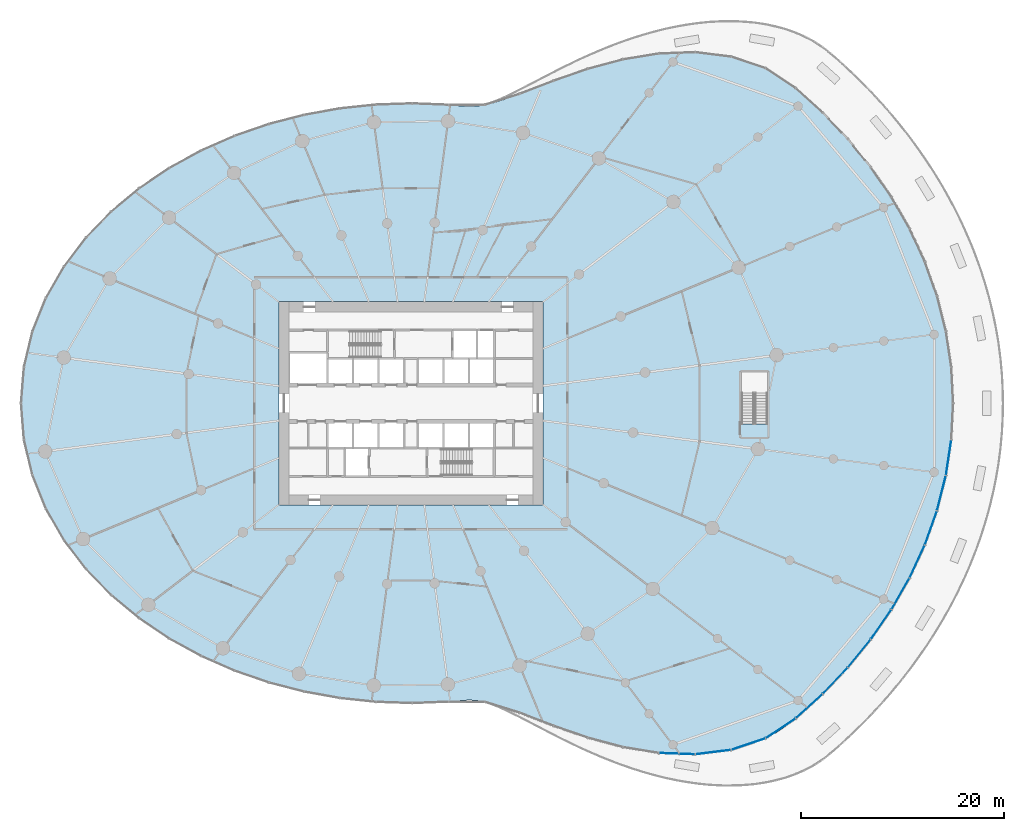
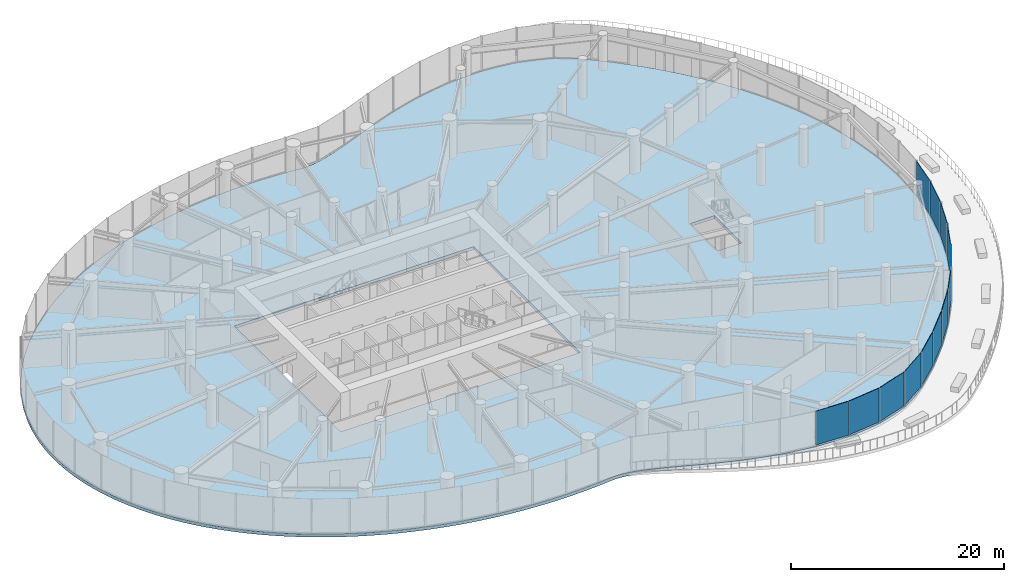
# One storey, part 12 of 24: 13 plates, 1 slab, 3 elements without a shape of their own.
"""IFC4 building model written with IfcOpenShell, lengths in metres."""

from ifc_helpers import new_model, si_unit, direction, frame, origin, origin_2d, place, context, subcontext, project, spatial, line, indexed_curve, rectangle, outline, extrude, source, transform, mapped, material, layer, layer_set, type_object, element, aggregate, save


model = new_model("IFC4")

# Units and contexts
model_context = context("Model", 3, precision=1e-05, world=origin(), true_north=direction((0.0, 1.0)))
body_context = subcontext(model_context, "Body", "Model", "MODEL_VIEW")
ifc_project = project(units=[si_unit("LENGTHUNIT", "METRE"), si_unit("AREAUNIT", "SQUARE_METRE"), si_unit("VOLUMEUNIT", "CUBIC_METRE"), si_unit("PLANEANGLEUNIT", "RADIAN"), si_unit("MASSUNIT", "GRAM", prefix="KILO")], contexts=[model_context])

# Site, building, storey
site_placement = place(None, origin())
site = spatial("IfcSite", under=ifc_project, at=site_placement, CompositionType="ELEMENT")
building_placement = place(site_placement, origin())
building = spatial("IfcBuilding", under=site, at=building_placement, Name="Spindrift Exchange Tower", CompositionType="ELEMENT")
storey_placement = place(building_placement, frame((0.0, 0.0, 5.0)))
storey = spatial("IfcBuildingStorey", under=building, at=storey_placement, Name="L01", CompositionType="ELEMENT", Elevation=5.0)

# Slab
ifc_material_1 = material(Name="Concrete 50 MPa", Category="concrete")
ifc_layer_1 = layer(ifc_material_1, 0.35009765625)
ifc_layer_set_1 = layer_set([ifc_layer_1], Name="RC Floor Slab 350 Concrete 50 MPa")
slab_type = type_object("IfcSlabType", Name="RC Floor Slab 350 Concrete 50 MPa", PredefinedType="FLOOR", material=ifc_layer_set_1)
slab_placement = place(storey_placement, frame((0.0, 0.0, -0.35009765625)))
element("IfcSlab", 1, at=slab_placement, inside=storey, type_object=slab_type, Name="Floor slab L01", PredefinedType="FLOOR", context=body_context, shape_type="SweptSolid", body=[
    extrude(outline(indexed_curve([(105.35009765625, 48.0), (105.337890625, 48.930908203125), (105.301513671875, 49.861328125), (105.24072265625, 50.790283203125), (105.156005859375, 51.717041015625), (105.04736328125, 52.64111328125), (104.914794921875, 53.5615234375), (104.7587890625, 54.47802734375), (104.57958984375, 55.3896484375), (104.37744140625, 56.2958984375), (104.152587890625, 57.19580078125), (103.90576171875, 58.08935546875), (103.636962890625, 58.975830078125), (103.346923828125, 59.8544921875), (103.035888671875, 60.724609375), (102.70458984375, 61.586181640625), (102.353515625, 62.438720703125), (101.98291015625, 63.28125), (101.593505859375, 64.114013671875), (101.18603515625, 64.93603515625), (100.7607421875, 65.74755859375), (100.318359375, 66.547607421875), (99.859619140625, 67.33642578125), (99.384765625, 68.113525390625), (98.894287109375, 68.878662109375), (98.389404296875, 69.631591796875), (97.8701171875, 70.372314453125), (97.33740234375, 71.1005859375), (96.791259765625, 71.81591796875), (96.23291015625, 72.5185546875), (95.662109375, 73.20849609375), (95.080078125, 73.88525390625), (94.4873046875, 74.548828125), (93.8837890625, 75.19970703125), (93.270263671875, 75.837158203125), (92.647216796875, 76.461669921875), (92.015380859375, 77.072998046875), (91.374755859375, 77.6708984375), (90.72607421875, 78.256103515625), (90.069580078125, 78.828125), (89.40576171875, 79.38720703125), (88.714111328125, 79.9150390625), (87.976806640625, 80.3935546875), (87.197998046875, 80.822509765625), (86.382080078125, 81.202392578125), (85.533203125, 81.533203125), (84.655517578125, 81.81591796875), (83.752685546875, 82.05078125), (82.828857421875, 82.239013671875), (81.8876953125, 82.3818359375), (80.9326171875, 82.480712890625), (79.96728515625, 82.536865234375), (78.9951171875, 82.552001953125), (78.018798828125, 82.5283203125), (77.0419921875, 82.46728515625), (76.0673828125, 82.37158203125), (75.097412109375, 82.243408203125), (74.135009765625, 82.085205078125), (73.1826171875, 81.899169921875), (72.2421875, 81.688720703125), (71.31591796875, 81.455810546875), (70.405517578125, 81.2041015625), (69.5126953125, 80.9365234375), (68.638916015625, 80.656005859375), (67.785888671875, 80.36572265625), (66.9541015625, 80.069091796875), (66.144775390625, 79.76953125), (62.449462890625, 78.34765625), (61.781005859375, 78.103271484375), (61.135498046875, 77.880615234375), (60.51171875, 77.68359375), (59.90869140625, 77.51513671875), (59.3251953125, 77.37939453125), (58.759765625, 77.27978515625), (58.2109375, 77.2197265625), (57.676513671875, 77.202880859375), (57.154296875, 77.232421875), (56.121826171875, 77.3291015625), (55.090576171875, 77.404052734375), (54.059814453125, 77.45751953125), (53.02978515625, 77.489501953125), (52.0, 77.5), (50.97021484375, 77.489501953125), (50.455078125, 77.47607421875), (49.4248046875, 77.433349609375), (48.393798828125, 77.369384765625), (47.362060546875, 77.283447265625), (46.328857421875, 77.17578125), (45.294189453125, 77.04541015625), (44.25830078125, 76.892578125), (43.220458984375, 76.716552734375), (42.180908203125, 76.5166015625), (41.660400390625, 76.40771484375), (41.1396484375, 76.29248046875), (40.096435546875, 76.04296875), (39.0517578125, 75.767578125), (38.52880859375, 75.6201171875), (37.48193359375, 75.304443359375), (36.958251953125, 75.135986328125), (35.91015625, 74.778076171875), (34.86181640625, 74.390380859375), (34.337890625, 74.185302734375), (33.29052734375, 73.751220703125), (32.767578125, 73.522216796875), (31.723388671875, 73.039306640625), (31.20263671875, 72.785400390625), (30.164306640625, 72.251220703125), (29.13134765625, 71.68115234375), (28.10595703125, 71.07421875), (27.089599609375, 70.429443359375), (26.585693359375, 70.09228515625), (26.0849609375, 69.745361328125), (25.587646484375, 69.38818359375), (25.093994140625, 69.021240234375), (24.604736328125, 68.643798828125), (24.119873046875, 68.256103515625), (23.639892578125, 67.85791015625), (23.165283203125, 67.44921875), (22.6962890625, 67.030029296875), (22.233642578125, 66.60009765625), (21.77734375, 66.15966796875), (21.328125, 65.70849609375), (20.886474609375, 65.24658203125), (20.452880859375, 64.77392578125), (20.02783203125, 64.29052734375), (19.61181640625, 63.796875), (19.205078125, 63.29248046875), (18.80859375, 62.777587890625), (18.4228515625, 62.252685546875), (18.04833984375, 61.71728515625), (17.685302734375, 61.172119140625), (17.334716796875, 60.6171875), (16.996826171875, 60.052490234375), (16.67236328125, 59.478759765625), (16.36181640625, 58.895751953125), (16.0654296875, 58.30419921875), (15.7841796875, 57.7041015625), (15.5185546875, 57.095947265625), (15.268798828125, 56.47998046875), (15.035400390625, 55.857177734375), (14.818603515625, 55.227294921875), (14.619384765625, 54.59130859375), (14.43798828125, 53.94921875), (14.2744140625, 53.302001953125), (14.12939453125, 52.64990234375), (14.0029296875, 51.99365234375), (13.895751953125, 51.333740234375), (13.8076171875, 50.670654296875), (13.73876953125, 50.005126953125), (13.689453125, 49.337890625), (13.659912109375, 48.669189453125), (13.64990234375, 48.0), (13.659912109375, 47.330810546875), (13.689453125, 46.662109375), (13.73876953125, 45.994873046875), (13.8076171875, 45.329345703125), (13.895751953125, 44.666259765625), (14.0029296875, 44.00634765625), (14.12939453125, 43.35009765625), (14.2744140625, 42.697998046875), (14.43798828125, 42.05078125), (14.619384765625, 41.40869140625), (14.818603515625, 40.772705078125), (15.035400390625, 40.142822265625), (15.268798828125, 39.52001953125), (15.5185546875, 38.904052734375), (15.7841796875, 38.2958984375), (16.0654296875, 37.69580078125), (16.36181640625, 37.104248046875), (16.67236328125, 36.521240234375), (16.996826171875, 35.947509765625), (17.334716796875, 35.3828125), (17.685302734375, 34.827880859375), (18.04833984375, 34.28271484375), (18.4228515625, 33.747314453125), (18.80859375, 33.222412109375), (19.205078125, 32.70751953125), (19.61181640625, 32.203125), (20.02783203125, 31.70947265625), (20.452880859375, 31.22607421875), (20.886474609375, 30.75341796875), (21.328125, 30.29150390625), (21.77734375, 29.84033203125), (22.233642578125, 29.39990234375), (22.6962890625, 28.969970703125), (23.165283203125, 28.55078125), (23.639892578125, 28.14208984375), (24.119873046875, 27.743896484375), (24.604736328125, 27.356201171875), (25.093994140625, 26.978759765625), (25.587646484375, 26.61181640625), (26.0849609375, 26.254638671875), (26.585693359375, 25.90771484375), (27.089599609375, 25.570556640625), (28.10595703125, 24.92578125), (29.13134765625, 24.31884765625), (30.164306640625, 23.748779296875), (31.20263671875, 23.214599609375), (31.723388671875, 22.960693359375), (32.767578125, 22.477783203125), (33.29052734375, 22.248779296875), (34.337890625, 21.814697265625), (34.86181640625, 21.609619140625), (35.91015625, 21.221923828125), (36.958251953125, 20.864013671875), (37.48193359375, 20.695556640625), (38.52880859375, 20.3798828125), (39.0517578125, 20.232421875), (40.096435546875, 19.95703125), (41.1396484375, 19.70751953125), (41.660400390625, 19.59228515625), (42.180908203125, 19.4833984375), (43.220458984375, 19.283447265625), (44.25830078125, 19.107421875), (45.294189453125, 18.95458984375), (46.328857421875, 18.82421875), (47.362060546875, 18.716552734375), (48.393798828125, 18.630615234375), (49.4248046875, 18.566650390625), (50.455078125, 18.52392578125), (50.97021484375, 18.510498046875), (52.0, 18.5), (53.02978515625, 18.510498046875), (54.059814453125, 18.54248046875), (55.090576171875, 18.595947265625), (56.121826171875, 18.6708984375), (57.154296875, 18.767578125), (57.676513671875, 18.797119140625), (58.2109375, 18.7802734375), (58.759765625, 18.72021484375), (59.3251953125, 18.62060546875), (59.90869140625, 18.48486328125), (60.51171875, 18.31640625), (61.135498046875, 18.119384765625), (61.781005859375, 17.896728515625), (62.449462890625, 17.65234375), (66.144775390625, 16.23046875), (66.9541015625, 15.930908203125), (67.785888671875, 15.63427734375), (68.638916015625, 15.343994140625), (69.5126953125, 15.0634765625), (70.405517578125, 14.7958984375), (71.31591796875, 14.544189453125), (72.2421875, 14.311279296875), (73.1826171875, 14.100830078125), (74.135009765625, 13.914794921875), (75.097412109375, 13.756591796875), (76.0673828125, 13.62841796875), (77.0419921875, 13.53271484375), (78.018798828125, 13.4716796875), (78.9951171875, 13.447998046875), (79.96728515625, 13.463134765625), (80.9326171875, 13.519287109375), (81.8876953125, 13.6181640625), (82.828857421875, 13.760986328125), (83.752685546875, 13.94921875), (84.655517578125, 14.18408203125), (85.533203125, 14.466796875), (86.382080078125, 14.797607421875), (87.197998046875, 15.177490234375), (87.976806640625, 15.6064453125), (88.714111328125, 16.0849609375), (89.40576171875, 16.61279296875), (90.069580078125, 17.171875), (90.72607421875, 17.743896484375), (91.374755859375, 18.3291015625), (92.015380859375, 18.927001953125), (92.647216796875, 19.538330078125), (93.270263671875, 20.162841796875), (93.8837890625, 20.80029296875), (94.4873046875, 21.451171875), (95.080078125, 22.11474609375), (95.662109375, 22.79150390625), (96.23291015625, 23.4814453125), (96.791259765625, 24.18408203125), (97.33740234375, 24.8994140625), (97.8701171875, 25.627685546875), (98.389404296875, 26.368408203125), (98.894287109375, 27.121337890625), (99.384765625, 27.886474609375), (99.859619140625, 28.66357421875), (100.318359375, 29.452392578125), (100.7607421875, 30.25244140625), (101.18603515625, 31.06396484375), (101.593505859375, 31.885986328125), (101.98291015625, 32.71875), (102.353515625, 33.561279296875), (102.70458984375, 34.413818359375), (103.035888671875, 35.275390625), (103.346923828125, 36.1455078125), (103.636962890625, 37.024169921875), (103.90576171875, 37.91064453125), (104.152587890625, 38.80419921875), (104.37744140625, 39.7041015625), (104.57958984375, 40.6103515625), (104.7587890625, 41.52197265625), (104.914794921875, 42.4384765625), (105.04736328125, 43.35888671875), (105.156005859375, 44.282958984375), (105.24072265625, 45.209716796875), (105.301513671875, 46.138671875), (105.337890625, 47.069091796875)], segments=[line(1, 2, 3, 4, 5, 6, 7, 8, 9, 10, 11, 12, 13, 14, 15, 16, 17, 18, 19, 20, 21, 22, 23, 24, 25, 26, 27, 28, 29, 30, 31, 32, 33, 34, 35, 36, 37, 38, 39, 40, 41, 42, 43, 44, 45, 46, 47, 48, 49, 50, 51, 52, 53, 54, 55, 56, 57, 58, 59, 60, 61, 62, 63, 64, 65, 66, 67, 68, 69, 70, 71, 72, 73, 74, 75, 76, 77, 78, 79, 80, 81, 82, 83, 84, 85, 86, 87, 88, 89, 90, 91, 92, 93, 94, 95, 96, 97, 98, 99, 100, 101, 102, 103, 104, 105, 106, 107, 108, 109, 110, 111, 112, 113, 114, 115, 116, 117, 118, 119, 120, 121, 122, 123, 124, 125, 126, 127, 128, 129, 130, 131, 132, 133, 134, 135, 136, 137, 138, 139, 140, 141, 142, 143, 144, 145, 146, 147, 148, 149, 150, 151, 152, 153, 154, 155, 156, 157, 158, 159, 160, 161, 162, 163, 164, 165, 166, 167, 168, 169, 170, 171, 172, 173, 174, 175, 176, 177, 178, 179, 180, 181, 182, 183, 184, 185, 186, 187, 188, 189, 190, 191, 192, 193, 194, 195, 196, 197, 198, 199, 200, 201, 202, 203, 204, 205, 206, 207, 208, 209, 210, 211, 212, 213, 214, 215, 216, 217, 218, 219, 220, 221, 222, 223, 224, 225, 226, 227, 228, 229, 230, 231, 232, 233, 234, 235, 236, 237, 238, 239, 240, 241, 242, 243, 244, 245, 246, 247, 248, 249, 250, 251, 252, 253, 254, 255, 256, 257, 258, 259, 260, 261, 262, 263, 264, 265, 266, 267, 268, 269, 270, 271, 272, 273, 274, 275, 276, 277, 278, 279, 280, 281, 282, 283, 284, 285, 286, 287, 288, 289, 290, 291, 292, 293, 294, 295, 296, 297, 298, 299, 300, 301, 302, 1)], self_intersect=False), holes=[indexed_curve([(39.0, 38.0), (65.0, 38.0), (65.0, 58.0), (39.0, 58.0)], segments=[line(1, 2, 3, 4, 1)], self_intersect=False), indexed_curve([(87.093994140625, 45.9560546875), (84.506103515625, 45.9560546875), (84.506103515625, 51.093994140625), (87.093994140625, 51.093994140625)], segments=[line(1, 2, 3, 4, 1)], self_intersect=False)]), origin(), (0.0, 0.0, 1.0), 0.35009765625),
])

# Curtain wall, plates
ifc_material_2 = material(Name="Fritted laminated glass with bronze frame", Category="glass")
ifc_layer_2 = layer(ifc_material_2, 0.219970703125)
ifc_layer_set_2 = layer_set([ifc_layer_2], Name="PODIUM BRONZE GLAZED WALL")
curtain_wall_type = type_object("IfcCurtainWallType", Name="PODIUM BRONZE GLAZED WALL", PredefinedType="NOTDEFINED", material=ifc_layer_set_2)
curtain_wall_1_placement = place(storey_placement, origin())
curtain_wall_1 = element("IfcCurtainWall", 2, at=curtain_wall_1_placement, inside=storey, type_object=curtain_wall_type, Name="L01 Podium Bronze Glazed Wall run 12", PredefinedType="NOTDEFINED")
ifc_material_3 = material(Name="Bronze fritted laminated glass, close frit", Category="glass")
ifc_layer_3 = layer(ifc_material_3, 0.0400390625)
ifc_layer_set_3 = layer_set([ifc_layer_3], Name="PODIUM BRONZE GLAZED WALL PANEL CLOSE FRIT 420")
plate_type_1 = type_object("IfcPlateType", Name="PODIUM BRONZE GLAZED WALL PANEL CLOSE FRIT 420", PredefinedType="CURTAIN_PANEL", material=ifc_layer_set_3)
shared_shape_1 = source(origin(), body_context, "Body", "SweptSolid", [
    extrude(rectangle(XDim=3.486083984375, YDim=0.0400390625, at=origin_2d()), origin(), (0.0, 0.0, 1.0), 3.889892578125),
])
plate_1_placement = place(storey_placement, frame((103.158203125, 35.74169921875, 0.16015625), z_axis=(0.0, 0.0, 1.0), x_axis=(0.335814913082, 0.941927993082, 0.0)))
plate_1 = element("IfcPlate", 3, at=plate_1_placement, type_object=plate_type_1, Name="L01 panel CW-P.69", PredefinedType="CURTAIN_PANEL", context=body_context, shape_type="MappedRepresentation", body=[
    mapped(shared_shape_1, transform((0.0, 0.0, 0.0), scale=1.0)),
])
ifc_layer_4 = layer(ifc_material_3, 0.0400390625)
ifc_layer_set_4 = layer_set([ifc_layer_4], Name="PODIUM BRONZE GLAZED WALL PANEL CLOSE FRIT 540")
plate_type_2 = type_object("IfcPlateType", Name="PODIUM BRONZE GLAZED WALL PANEL CLOSE FRIT 540", PredefinedType="CURTAIN_PANEL", material=ifc_layer_set_4)
shared_shape_2 = source(origin(), body_context, "Body", "SweptSolid", [
    extrude(rectangle(XDim=3.48583984375, YDim=0.0400390625, at=origin_2d()), origin(), (0.0, 0.0, 1.0), 3.889892578125),
])
plate_2_placement = place(storey_placement, frame((104.197021484375, 39.1591796875, 0.16015625), z_axis=(0.0, 0.0, 1.0), x_axis=(0.245055269389, 0.969509110295, 0.0)))
plate_2 = element("IfcPlate", 4, at=plate_2_placement, type_object=plate_type_2, Name="L01 panel CW-P.70", PredefinedType="CURTAIN_PANEL", context=body_context, shape_type="MappedRepresentation", body=[
    mapped(shared_shape_2, transform((0.0, 0.0, 0.0), scale=1.0)),
])
ifc_layer_5 = layer(ifc_material_3, 0.0400390625)
ifc_layer_set_5 = layer_set([ifc_layer_5], Name="PODIUM BRONZE GLAZED WALL PANEL CLOSE FRIT 300")
plate_type_3 = type_object("IfcPlateType", Name="PODIUM BRONZE GLAZED WALL PANEL CLOSE FRIT 300", PredefinedType="CURTAIN_PANEL", material=ifc_layer_set_5)
shared_shape_3 = source(origin(), body_context, "Body", "SweptSolid", [
    extrude(rectangle(XDim=3.486083984375, YDim=0.0400390625, at=origin_2d()), origin(), (0.0, 0.0, 1.0), 3.889892578125),
])
plate_3_placement = place(storey_placement, frame((101.805908203125, 32.43505859375, 0.16015625), z_axis=(0.0, 0.0, 1.0), x_axis=(0.420418310601, 0.907330394129, 0.0)))
plate_3 = element("IfcPlate", 5, at=plate_3_placement, type_object=plate_type_3, Name="L01 panel CW-P.68", PredefinedType="CURTAIN_PANEL", context=body_context, shape_type="MappedRepresentation", body=[
    mapped(shared_shape_3, transform((0.0, 0.0, 0.0), scale=1.0)),
])

curtain_wall_2_placement = place(storey_placement, origin())
curtain_wall_2 = element("IfcCurtainWall", 6, at=curtain_wall_2_placement, inside=storey, type_object=curtain_wall_type, Name="L01 Podium Bronze Glazed Wall run 11", PredefinedType="NOTDEFINED")
shared_shape_4 = source(origin(), body_context, "Body", "SweptSolid", [
    extrude(rectangle(XDim=3.486328125, YDim=0.0400390625, at=origin_2d()), origin(), (0.0, 0.0, 1.0), 3.889892578125),
])
plate_4_placement = place(storey_placement, frame((98.255615234375, 26.24072265625, 0.16015625), z_axis=(0.0, 0.0, 1.0), x_axis=(0.568777198031, 0.822491640687, 0.0)))
plate_4 = element("IfcPlate", 7, at=plate_4_placement, type_object=plate_type_3, Name="L01 panel CW-P.66", PredefinedType="CURTAIN_PANEL", context=body_context, shape_type="MappedRepresentation", body=[
    mapped(shared_shape_4, transform((0.0, 0.0, 0.0), scale=1.0)),
])
shared_shape_5 = source(origin(), body_context, "Body", "SweptSolid", [
    extrude(rectangle(XDim=3.474853515625, YDim=0.0400390625, at=origin_2d()), origin(), (0.0, 0.0, 1.0), 3.889892578125),
])
plate_5_placement = place(storey_placement, frame((88.379150390625, 16.017822265625, 0.16015625), z_axis=(0.0, 0.0, 1.0), x_axis=(0.834253621799, 0.551380897851, 0.0)))
plate_5 = element("IfcPlate", 8, at=plate_5_placement, type_object=plate_type_1, Name="L01 panel CW-P.62", PredefinedType="CURTAIN_PANEL", context=body_context, shape_type="MappedRepresentation", body=[
    mapped(shared_shape_5, transform((0.0, 0.0, 0.0), scale=1.0)),
])
shared_shape_6 = source(origin(), body_context, "Body", "SweptSolid", [
    extrude(rectangle(XDim=3.48681640625, YDim=0.0400390625, at=origin_2d()), origin(), (0.0, 0.0, 1.0), 3.889892578125),
])
plate_6_placement = place(storey_placement, frame((91.189208984375, 18.2041015625, 0.16015625), z_axis=(0.0, 0.0, 1.0), x_axis=(0.739727406935, 0.672906652835, 0.0)))
plate_6 = element("IfcPlate", 9, at=plate_6_placement, type_object=plate_type_3, Name="L01 panel CW-P.63", PredefinedType="CURTAIN_PANEL", context=body_context, shape_type="MappedRepresentation", body=[
    mapped(shared_shape_6, transform((0.0, 0.0, 0.0), scale=1.0)),
])
plate_7_placement = place(storey_placement, frame((93.744384765625, 20.703369140625, 0.16015625), z_axis=(0.0, 0.0, 1.0), x_axis=(0.689158073642, 0.724611033268, 0.0)))
plate_7 = element("IfcPlate", 10, at=plate_7_placement, type_object=plate_type_3, Name="L01 panel CW-P.64", PredefinedType="CURTAIN_PANEL", context=body_context, shape_type="MappedRepresentation", body=[
    mapped(shared_shape_6, transform((0.0, 0.0, 0.0), scale=1.0)),
])

# Plate
shared_shape_7 = source(origin(), body_context, "Body", "SweptSolid", [
    extrude(rectangle(XDim=3.486328125, YDim=0.0400390625, at=origin_2d()), origin(), (0.0, 0.0, 1.0), 3.889892578125),
])
plate_8_placement = place(storey_placement, frame((100.16357421875, 29.26220703125, 0.16015625), z_axis=(0.0, 0.0, 1.0), x_axis=(0.498160891964, 0.867084612779, 0.0)))
plate_8 = element("IfcPlate", 11, at=plate_8_placement, type_object=plate_type_2, Name="L01 panel CW-P.67", PredefinedType="CURTAIN_PANEL", context=body_context, shape_type="MappedRepresentation", body=[
    mapped(shared_shape_7, transform((0.0, 0.0, 0.0), scale=1.0)),
])

# Curtain wall, plates
curtain_wall_3_placement = place(storey_placement, origin())
curtain_wall_3 = element("IfcCurtainWall", 12, at=curtain_wall_3_placement, inside=storey, type_object=curtain_wall_type, Name="L01 Podium Bronze Glazed Wall run 10", PredefinedType="NOTDEFINED")
shared_shape_8 = source(origin(), body_context, "Body", "SweptSolid", [
    extrude(rectangle(XDim=3.484619140625, YDim=0.0400390625, at=origin_2d()), origin(), (0.0, 0.0, 1.0), 3.889892578125),
])
plate_9_placement = place(storey_placement, frame((78.177001953125, 13.52978515625, 0.16015625), z_axis=(0.0, 0.0, 1.0), x_axis=(0.999303415107, -0.037318689086, 0.0)))
plate_9 = element("IfcPlate", 13, at=plate_9_placement, type_object=plate_type_2, Name="L01 panel CW-P.59", PredefinedType="CURTAIN_PANEL", context=body_context, shape_type="MappedRepresentation", body=[
    mapped(shared_shape_8, transform((0.0, 0.0, 0.0), scale=1.0)),
])
shared_shape_9 = source(origin(), body_context, "Body", "SweptSolid", [
    extrude(rectangle(XDim=3.48291015625, YDim=0.0400390625, at=origin_2d()), origin(), (0.0, 0.0, 1.0), 3.889892578125),
])
plate_10_placement = place(storey_placement, frame((81.73583984375, 13.681396484375, 0.16015625), z_axis=(0.0, 0.0, 1.0), x_axis=(0.99250866924, 0.122174225941, 0.0)))
plate_10 = element("IfcPlate", 14, at=plate_10_placement, type_object=plate_type_2, Name="L01 panel CW-P.60", PredefinedType="CURTAIN_PANEL", context=body_context, shape_type="MappedRepresentation", body=[
    mapped(shared_shape_9, transform((0.0, 0.0, 0.0), scale=1.0)),
])
aggregate(curtain_wall_3, [plate_9, plate_10])

# Plate
shared_shape_10 = source(origin(), body_context, "Body", "SweptSolid", [
    extrude(rectangle(XDim=3.478759765625, YDim=0.0400390625, at=origin_2d()), origin(), (0.0, 0.0, 1.0), 3.889892578125),
])
plate_11_placement = place(storey_placement, frame((85.200439453125, 14.46728515625, 0.16015625), z_axis=(0.0, 0.0, 1.0), x_axis=(0.948031400922, 0.318176779268, 0.0)))
plate_11 = element("IfcPlate", 15, at=plate_11_placement, type_object=plate_type_1, Name="L01 panel CW-P.61", PredefinedType="CURTAIN_PANEL", context=body_context, shape_type="MappedRepresentation", body=[
    mapped(shared_shape_10, transform((0.0, 0.0, 0.0), scale=1.0)),
])

shared_shape_11 = source(origin(), body_context, "Body", "SweptSolid", [
    extrude(rectangle(XDim=3.486572265625, YDim=0.0400390625, at=origin_2d()), origin(), (0.0, 0.0, 1.0), 3.889892578125),
])
plate_12_placement = place(storey_placement, frame((96.107666015625, 23.384521484375, 0.16015625), z_axis=(0.0, 0.0, 1.0), x_axis=(0.632329517604, 0.774699542511, 0.0)))
plate_12 = element("IfcPlate", 16, at=plate_12_placement, type_object=plate_type_1, Name="L01 panel CW-P.65", PredefinedType="CURTAIN_PANEL", context=body_context, shape_type="MappedRepresentation", body=[
    mapped(shared_shape_11, transform((0.0, 0.0, 0.0), scale=1.0)),
])

aggregate(curtain_wall_2, [plate_11, plate_5, plate_6, plate_7, plate_12, plate_4])

shared_shape_12 = source(origin(), body_context, "Body", "SweptSolid", [
    extrude(rectangle(XDim=3.48583984375, YDim=0.0400390625, at=origin_2d()), origin(), (0.0, 0.0, 1.0), 3.889892578125),
])
plate_13_placement = place(storey_placement, frame((104.902099609375, 42.66064453125, 0.16015625), z_axis=(0.0, 0.0, 1.0), x_axis=(0.149414542948, 0.988774642856, 0.0)))
plate_13 = element("IfcPlate", 17, at=plate_13_placement, type_object=plate_type_1, Name="L01 panel CW-P.71", PredefinedType="CURTAIN_PANEL", context=body_context, shape_type="MappedRepresentation", body=[
    mapped(shared_shape_12, transform((0.0, 0.0, 0.0), scale=1.0)),
])

aggregate(curtain_wall_1, [plate_8, plate_3, plate_1, plate_2, plate_13])

save(model, "model.ifc")
